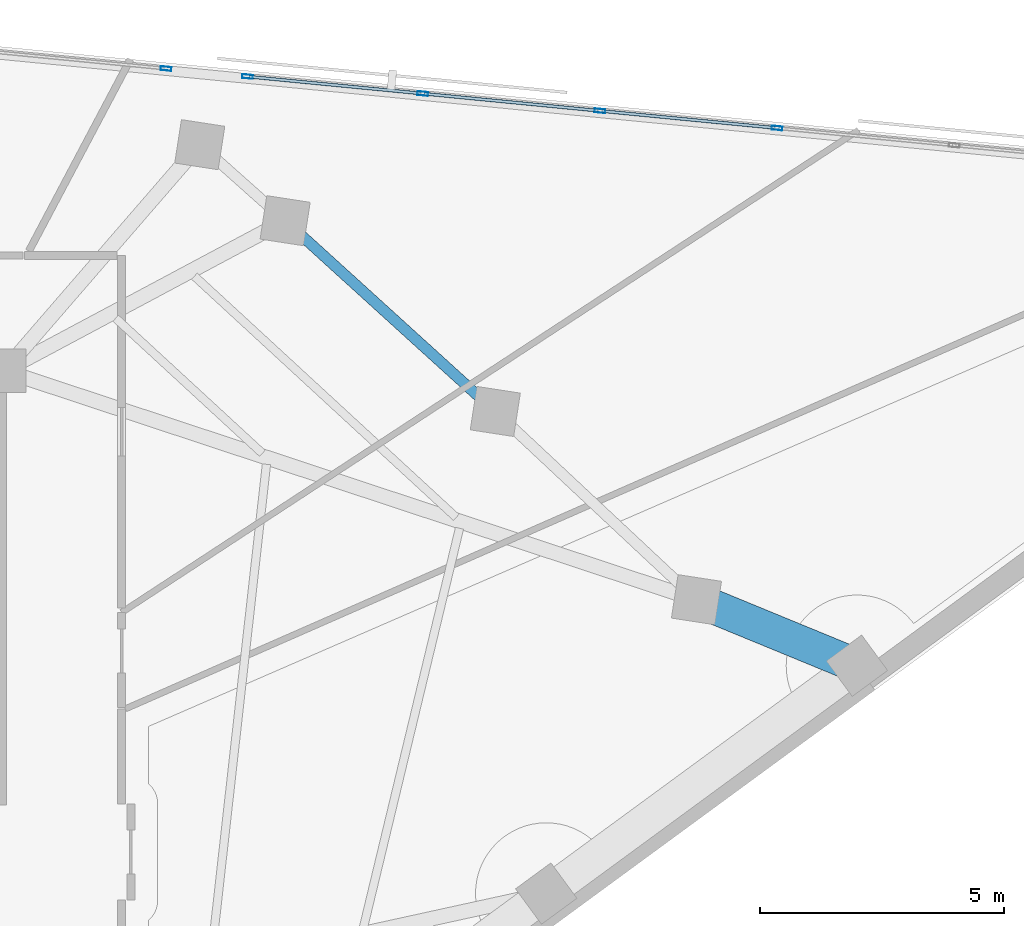
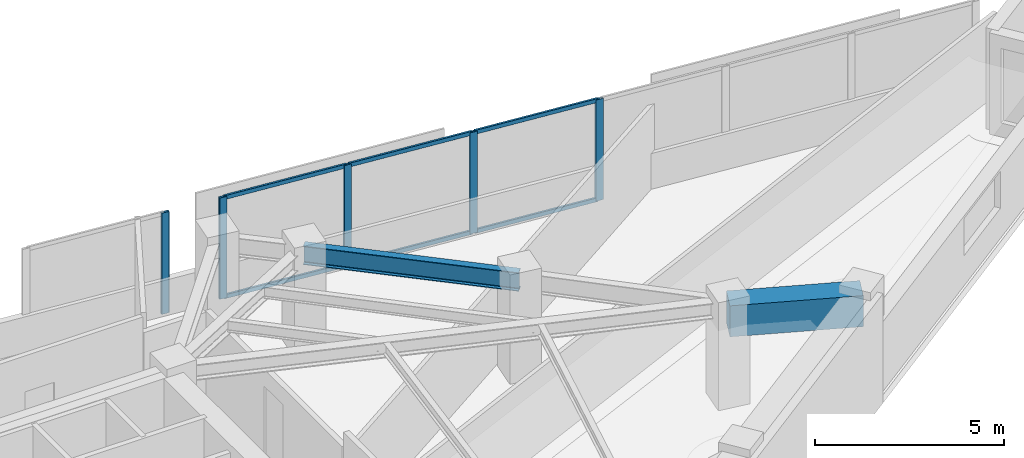
# One storey, part 5 of 14: 11 members, 2 beams, 2 elements without a shape of their own.
"""IFC4 building model written with IfcOpenShell, lengths in metres."""

from ifc_helpers import new_model, si_unit, direction, frame, origin, origin_2d, place, context, subcontext, project, spatial, rectangle, hollow_rectangle, i_section, extrude, material, material_profile, profile_set, type_object, element, aggregate, save


model = new_model("IFC4")

# Units and contexts
model_context = context("Model", 3, precision=1e-05, world=origin(), true_north=direction((0.0, 1.0)))
body_context = subcontext(model_context, "Body", "Model", "MODEL_VIEW")
ifc_project = project(units=[si_unit("LENGTHUNIT", "METRE"), si_unit("AREAUNIT", "SQUARE_METRE"), si_unit("VOLUMEUNIT", "CUBIC_METRE"), si_unit("PLANEANGLEUNIT", "RADIAN"), si_unit("MASSUNIT", "GRAM", prefix="KILO")], contexts=[model_context])

# Site, building, storey
site_placement = place(None, origin())
site = spatial("IfcSite", under=ifc_project, at=site_placement, CompositionType="ELEMENT")
building_placement = place(site_placement, origin())
building = spatial("IfcBuilding", under=site, at=building_placement, Name="Narakoshi Arena Tower", CompositionType="ELEMENT")
storey_placement = place(building_placement, frame((0.0, 0.0, 236.10009765625)))
storey = spatial("IfcBuildingStorey", under=building, at=storey_placement, Name="L64", CompositionType="ELEMENT", Elevation=236.10009765625)

# Beams
ifc_material_1 = material(Name="Concrete C60/75", Category="concrete")
ifc_material_profile_1 = material_profile(ifc_material_1, rectangle(XDim=0.699951171875, YDim=1.0, at=origin_2d()), Name="RCB700x1000")
ifc_profile_set_1 = profile_set([ifc_material_profile_1], Name="Concrete C60/75")
beam_type_1 = type_object("IfcBeamType", Name="BM-CPL-1000", PredefinedType="BEAM", material=ifc_profile_set_1)
beam_1_placement = place(storey_placement, frame((103.032470703125, 50.45361328125, 2.760009765625), z_axis=(-0.924787502584, 0.380484001063, 0.0), x_axis=(-0.380484001063, -0.924787502584, 0.0)))
element("IfcBeam", 1, at=beam_1_placement, inside=storey, type_object=beam_type_1, Name="L64 Perimeter Edge Girder 03", PredefinedType="BEAM", context=body_context, shape_type="SweptSolid", body=[
    extrude(rectangle(XDim=0.699951171875, YDim=1.0, at=origin_2d()), origin(), (0.0, 0.0, 1.0), 3.557373046875),
])
ifc_material_2 = material(Name="Structural steel S355J2", Category="steel")
ifc_material_profile_2 = material_profile(ifc_material_2, i_section(OverallWidth=0.219970703125, OverallDepth=0.60009765625, WebThickness=0.011962890625, FlangeThickness=0.01904296875, FilletRadius=0.02392578125, at=origin_2d()), Name="IPE600")
ifc_profile_set_2 = profile_set([ifc_material_profile_2], Name="Structural steel S355J2")
beam_type_2 = type_object("IfcBeamType", Name="BM-EDGE-600", PredefinedType="BEAM", material=ifc_profile_set_2)
beam_2_placement = place(storey_placement, frame((95.619384765625, 55.665283203125, 2.9599609375), z_axis=(-0.740395559013, 0.672171418757, 0.0), x_axis=(-0.672171418757, -0.740395559013, 0.0)))
element("IfcBeam", 2, at=beam_2_placement, inside=storey, type_object=beam_type_2, Name="L64 Perimeter Edge Girder 05", PredefinedType="BEAM", context=body_context, shape_type="SweptSolid", body=[
    extrude(i_section(OverallWidth=0.219970703125, OverallDepth=0.60009765625, WebThickness=0.011962890625, FlangeThickness=0.01904296875, FilletRadius=0.02392578125, at=origin_2d()), origin(), (0.0, 0.0, 1.0), 5.818603515625),
])

# Curtain wall, members
ifc_material_3 = material(Name="Anodised bronze aluminium 6063-T6", Category="aluminium")
curtain_wall_type = type_object("IfcCurtainWallType", Name="CW-HYP-HIGH", PredefinedType="NOTDEFINED", material=ifc_material_3)
curtain_wall_1_placement = place(storey_placement, origin())
curtain_wall_1 = element("IfcCurtainWall", 3, at=curtain_wall_1_placement, inside=storey, type_object=curtain_wall_type, Name="L64 Folded Hypotenuse Curtain Wall 1-1", PredefinedType="NOTDEFINED")
ifc_material_profile_3 = material_profile(ifc_material_3, hollow_rectangle(XDim=0.080078125, YDim=0.219970703125, WallThickness=0.0048828125, OuterFilletRadius=0.006103515625, at=origin_2d()), Name="MUL220x80x5")
ifc_profile_set_3 = profile_set([ifc_material_profile_3], Name="Anodised bronze aluminium 6063-T6")
member_type_1 = type_object("IfcMemberType", Name="MEM-MUL-220", PredefinedType="MULLION", material=ifc_profile_set_3)
member_1_placement = place(storey_placement, frame((101.3955078125, 61.47509765625, 0.0), z_axis=(0.0, 0.0, 1.0), x_axis=(-0.096851320996, -0.995298860454, 0.0)))
member_1 = element("IfcMember", 4, at=member_1_placement, type_object=member_type_1, Name="CW-03 mullion 4", PredefinedType="MULLION", context=body_context, shape_type="SweptSolid", body=[
    extrude(hollow_rectangle(XDim=0.080078125, YDim=0.219970703125, WallThickness=0.0048828125, OuterFilletRadius=0.006103515625, at=origin_2d()), origin(), (0.0, 0.0, 1.0), 3.260009765625),
])
member_2_placement = place(storey_placement, frame((97.763916015625, 61.828369140625, 0.0), z_axis=(0.0, 0.0, 1.0), x_axis=(-0.096851320996, -0.995298860454, 0.0)))
member_2 = element("IfcMember", 5, at=member_2_placement, type_object=member_type_1, Name="CW-03 mullion 5", PredefinedType="MULLION", context=body_context, shape_type="SweptSolid", body=[
    extrude(hollow_rectangle(XDim=0.080078125, YDim=0.219970703125, WallThickness=0.0048828125, OuterFilletRadius=0.006103515625, at=origin_2d()), origin(), (0.0, 0.0, 1.0), 3.260009765625),
])
member_3_placement = place(storey_placement, frame((94.13232421875, 62.181884765625, 0.0), z_axis=(0.0, 0.0, 1.0), x_axis=(-0.096851320996, -0.995298860454, 0.0)))
member_3 = element("IfcMember", 6, at=member_3_placement, type_object=member_type_1, Name="CW-03 mullion 6", PredefinedType="MULLION", context=body_context, shape_type="SweptSolid", body=[
    extrude(hollow_rectangle(XDim=0.080078125, YDim=0.219970703125, WallThickness=0.0048828125, OuterFilletRadius=0.006103515625, at=origin_2d()), origin(), (0.0, 0.0, 1.0), 3.260009765625),
])
member_4_placement = place(storey_placement, frame((90.54052734375, 62.53125, 0.0), z_axis=(0.0, 0.0, 1.0), x_axis=(-0.096851320996, -0.995298860454, 0.0)))
member_4 = element("IfcMember", 7, at=member_4_placement, type_object=member_type_1, Name="CW-03 mullion 7", PredefinedType="MULLION", context=body_context, shape_type="SweptSolid", body=[
    extrude(hollow_rectangle(XDim=0.080078125, YDim=0.219970703125, WallThickness=0.0048828125, OuterFilletRadius=0.006103515625, at=origin_2d()), origin(), (0.0, 0.0, 1.0), 3.260009765625),
])

# Curtain wall, member
curtain_wall_2_placement = place(storey_placement, origin())
curtain_wall_2 = element("IfcCurtainWall", 8, at=curtain_wall_2_placement, inside=storey, type_object=curtain_wall_type, Name="L64 Folded Hypotenuse Curtain Wall 1-2", PredefinedType="NOTDEFINED")
member_5_placement = place(storey_placement, frame((88.87060546875, 62.69384765625, 0.0), z_axis=(0.0, 0.0, 1.0), x_axis=(-0.096842858471, -0.995299683896, 0.0)))
member_5 = element("IfcMember", 9, at=member_5_placement, type_object=member_type_1, Name="CW-03 mullion 1", PredefinedType="MULLION", context=body_context, shape_type="SweptSolid", body=[
    extrude(hollow_rectangle(XDim=0.080078125, YDim=0.219970703125, WallThickness=0.0048828125, OuterFilletRadius=0.006103515625, at=origin_2d()), origin(), (0.0, 0.0, 1.0), 3.260009765625),
])
aggregate(curtain_wall_2, [member_5])

# Member
ifc_material_profile_4 = material_profile(ifc_material_3, hollow_rectangle(XDim=0.06494140625, YDim=0.1298828125, WallThickness=0.00390625, OuterFilletRadius=0.0048828125, at=origin_2d()), Name="TRN130x65x4")
ifc_profile_set_4 = profile_set([ifc_material_profile_4], Name="Anodised bronze aluminium 6063-T6")
member_type_2 = type_object("IfcMemberType", Name="MEM-TRN-130", PredefinedType="USERDEFINED", material=ifc_profile_set_4)
member_6_placement = place(storey_placement, frame((101.355712890625, 61.47900390625, 0.032470703125), z_axis=(-0.995303775278, 0.096800800194, 0.0), x_axis=(-0.096800800194, -0.995303775278, 0.0)))
member_6 = element("IfcMember", 10, at=member_6_placement, type_object=member_type_2, Name="CW-03 transom 4.1", ObjectType="TRANSOM", PredefinedType="USERDEFINED", context=body_context, shape_type="SweptSolid", body=[
    extrude(hollow_rectangle(XDim=0.06494140625, YDim=0.1298828125, WallThickness=0.00390625, OuterFilletRadius=0.0048828125, at=origin_2d()), origin(), (0.0, 0.0, 1.0), 3.56884765625),
])

member_7_placement = place(storey_placement, frame((101.355712890625, 61.47900390625, 3.227294921875), z_axis=(-0.995303775278, 0.096800800194, 0.0), x_axis=(-0.096800800194, -0.995303775278, 0.0)))
member_7 = element("IfcMember", 11, at=member_7_placement, type_object=member_type_2, Name="CW-03 transom 4.2", ObjectType="TRANSOM", PredefinedType="USERDEFINED", context=body_context, shape_type="SweptSolid", body=[
    extrude(hollow_rectangle(XDim=0.06494140625, YDim=0.1298828125, WallThickness=0.00390625, OuterFilletRadius=0.0048828125, at=origin_2d()), origin(), (0.0, 0.0, 1.0), 3.56884765625),
])

member_8_placement = place(storey_placement, frame((97.72412109375, 61.832275390625, 0.032470703125), z_axis=(-0.995297181926, 0.096868568947, 0.0), x_axis=(-0.096868568947, -0.995297181926, 0.0)))
member_8 = element("IfcMember", 12, at=member_8_placement, type_object=member_type_2, Name="CW-03 transom 5.1", ObjectType="TRANSOM", PredefinedType="USERDEFINED", context=body_context, shape_type="SweptSolid", body=[
    extrude(hollow_rectangle(XDim=0.06494140625, YDim=0.1298828125, WallThickness=0.00390625, OuterFilletRadius=0.0048828125, at=origin_2d()), origin(), (0.0, 0.0, 1.0), 3.56884765625),
])

member_9_placement = place(storey_placement, frame((97.72412109375, 61.832275390625, 3.227294921875), z_axis=(-0.995297181926, 0.096868568947, 0.0), x_axis=(-0.096868568947, -0.995297181926, 0.0)))
member_9 = element("IfcMember", 13, at=member_9_placement, type_object=member_type_2, Name="CW-03 transom 5.2", ObjectType="TRANSOM", PredefinedType="USERDEFINED", context=body_context, shape_type="SweptSolid", body=[
    extrude(hollow_rectangle(XDim=0.06494140625, YDim=0.1298828125, WallThickness=0.00390625, OuterFilletRadius=0.0048828125, at=origin_2d()), origin(), (0.0, 0.0, 1.0), 3.56884765625),
])

member_10_placement = place(storey_placement, frame((94.092529296875, 62.185791015625, 0.032470703125), z_axis=(-0.995304755232, 0.096790723799, 0.0), x_axis=(-0.096790723799, -0.995304755232, 0.0)))
member_10 = element("IfcMember", 14, at=member_10_placement, type_object=member_type_2, Name="CW-03 transom 6.1", ObjectType="TRANSOM", PredefinedType="USERDEFINED", context=body_context, shape_type="SweptSolid", body=[
    extrude(hollow_rectangle(XDim=0.06494140625, YDim=0.1298828125, WallThickness=0.00390625, OuterFilletRadius=0.0048828125, at=origin_2d()), origin(), (0.0, 0.0, 1.0), 3.52880859375),
])

member_11_placement = place(storey_placement, frame((94.092529296875, 62.185791015625, 3.227294921875), z_axis=(-0.995304755232, 0.096790723799, 0.0), x_axis=(-0.096790723799, -0.995304755232, 0.0)))
member_11 = element("IfcMember", 15, at=member_11_placement, type_object=member_type_2, Name="CW-03 transom 6.2", ObjectType="TRANSOM", PredefinedType="USERDEFINED", context=body_context, shape_type="SweptSolid", body=[
    extrude(hollow_rectangle(XDim=0.06494140625, YDim=0.1298828125, WallThickness=0.00390625, OuterFilletRadius=0.0048828125, at=origin_2d()), origin(), (0.0, 0.0, 1.0), 3.52880859375),
])

aggregate(curtain_wall_1, [member_1, member_2, member_3, member_4, member_6, member_7, member_8, member_9, member_10, member_11])

save(model, "model.ifc")
